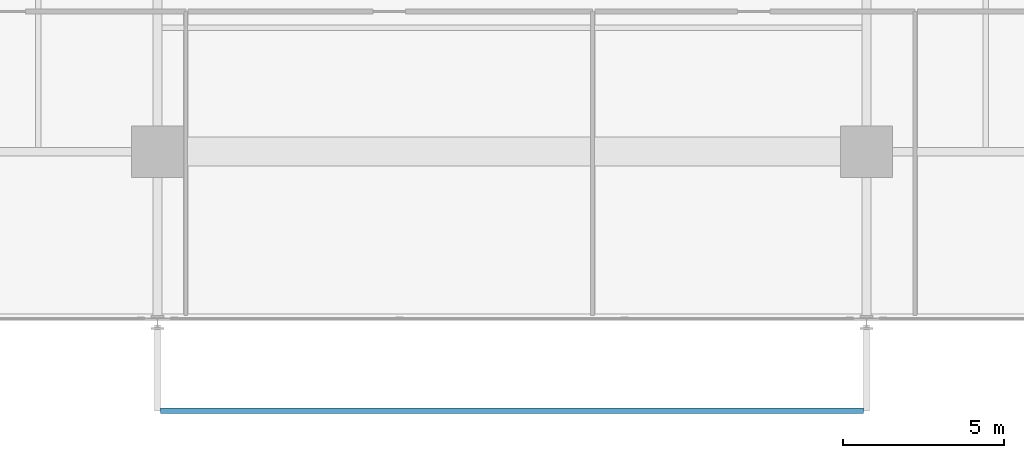
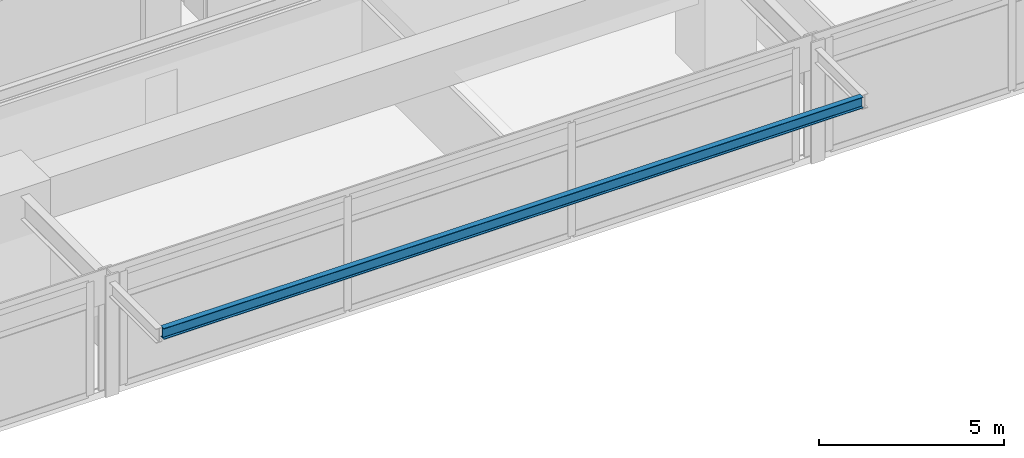
# One storey, part 4 of 23: 1 beam.
"""IFC4 building model written with IfcOpenShell, lengths in metres."""

from ifc_helpers import new_model, si_unit, direction, frame, origin, origin_2d, place, context, subcontext, project, spatial, i_section, extrude, material, material_profile, profile_set, type_object, element, save


model = new_model("IFC4")

# Units and contexts
model_context = context("Model", 3, precision=1e-05, world=origin(), true_north=direction((0.0, 1.0)))
body_context = subcontext(model_context, "Body", "Model", "MODEL_VIEW")
ifc_project = project(units=[si_unit("LENGTHUNIT", "METRE"), si_unit("AREAUNIT", "SQUARE_METRE"), si_unit("VOLUMEUNIT", "CUBIC_METRE"), si_unit("PLANEANGLEUNIT", "RADIAN"), si_unit("MASSUNIT", "GRAM", prefix="KILO")], contexts=[model_context])

# Site, building, storey
site_placement = place(None, origin())
site = spatial("IfcSite", under=ifc_project, at=site_placement, CompositionType="ELEMENT")
building_placement = place(site_placement, origin())
building = spatial("IfcBuilding", under=site, at=building_placement, Name="Kovane Verandah Tower", CompositionType="ELEMENT")
storey_placement = place(building_placement, frame((0.0, 0.0, 168.39990234375)))
storey = spatial("IfcBuildingStorey", under=building, at=storey_placement, Name="L39", CompositionType="ELEMENT", Elevation=168.39990234375)

# Beam
ifc_material = material(Name="Steel S355", Category="steel")
ifc_material_profile = material_profile(ifc_material, i_section(OverallWidth=0.173095703125, OverallDepth=0.36328125, WebThickness=0.009033203125, FlangeThickness=0.015625, FilletRadius=0.01025390625, at=origin_2d()), Name="UB356x171x67")
ifc_profile_set = profile_set([ifc_material_profile], Name="Steel S355")
beam_type = type_object("IfcBeamType", Name="SPD-UB356x67", PredefinedType="USERDEFINED", material=ifc_profile_set)
beam_placement = place(storey_placement, frame((29.094482421875, 2.7607421875, 3.578369140625), z_axis=(1.0, 0.0, 0.0), x_axis=(0.0, 1.0, 0.0)))
element("IfcBeam", 1, at=beam_placement, inside=storey, type_object=beam_type, Name="L39 South Planter Edge Spandrel", ObjectType="SPANDREL", PredefinedType="USERDEFINED", context=body_context, shape_type="SweptSolid", body=[
    extrude(i_section(OverallWidth=0.173095703125, OverallDepth=0.36328125, WebThickness=0.009033203125, FlangeThickness=0.015625, FilletRadius=0.01025390625, at=origin_2d()), origin(), (0.0, 0.0, 1.0), 21.81103515625),
])

save(model, "model.ifc")
